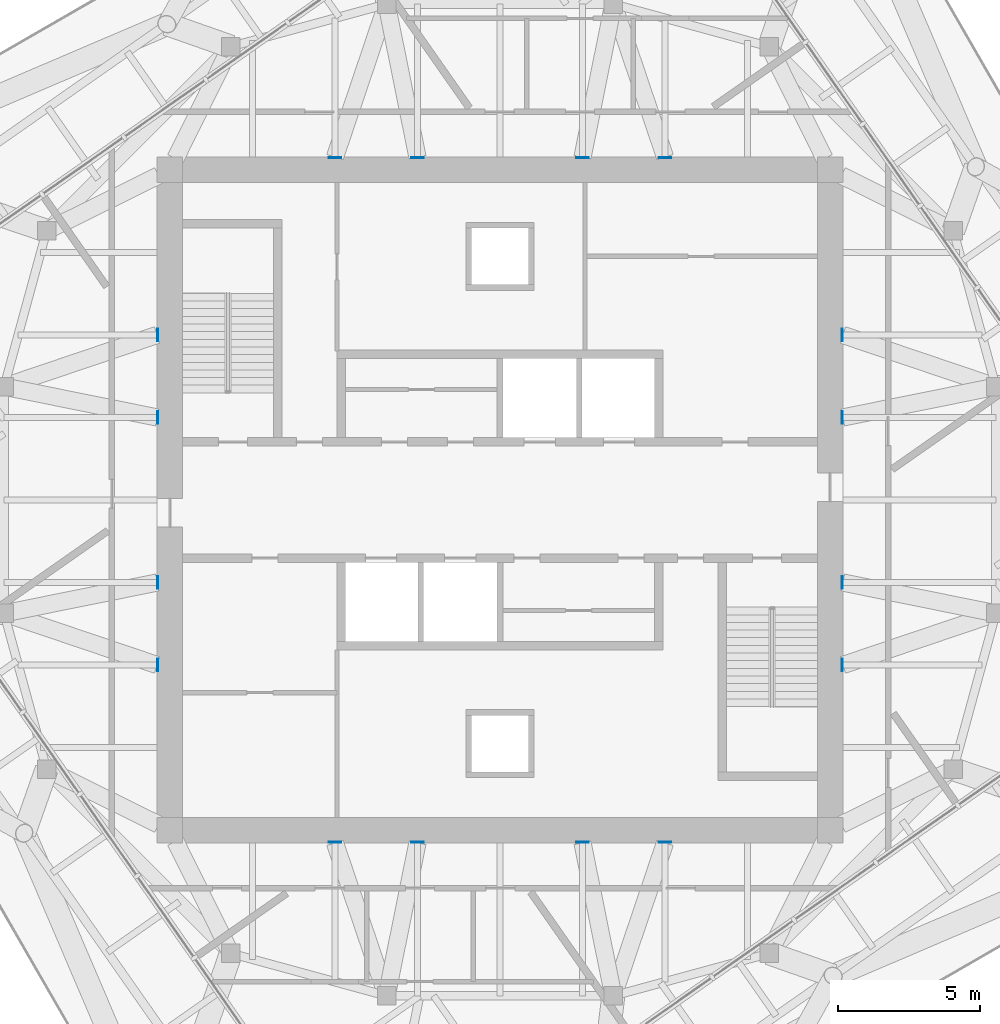
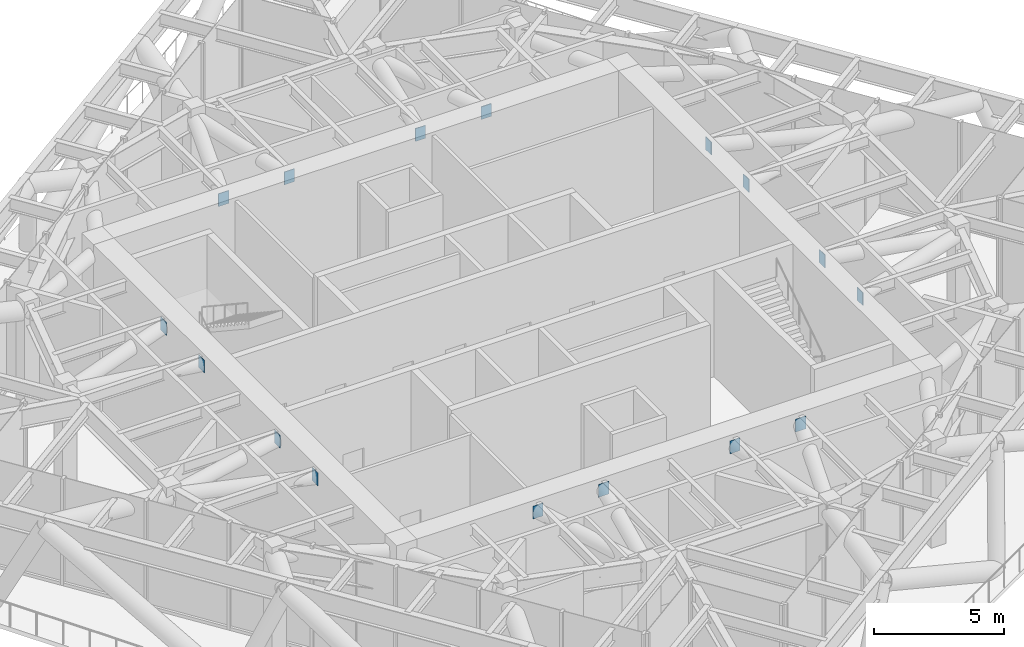
# One storey, part 11 of 16: 16 discrete accessories.
"""IFC4 building model written with IfcOpenShell, lengths in metres."""

from ifc_helpers import new_model, si_unit, direction, frame, origin, origin_2d, place, context, subcontext, project, spatial, rectangle, extrude, material, layer, layer_set, type_object, element, save


model = new_model("IFC4")

# Units and contexts
model_context = context("Model", 3, precision=1e-05, world=origin(), true_north=direction((0.0, 1.0)))
body_context = subcontext(model_context, "Body", "Model", "MODEL_VIEW")
ifc_project = project(units=[si_unit("LENGTHUNIT", "METRE"), si_unit("AREAUNIT", "SQUARE_METRE"), si_unit("VOLUMEUNIT", "CUBIC_METRE"), si_unit("PLANEANGLEUNIT", "RADIAN"), si_unit("MASSUNIT", "GRAM", prefix="KILO")], contexts=[model_context])

# Site, building, storey
site_placement = place(None, origin())
site = spatial("IfcSite", under=ifc_project, at=site_placement, CompositionType="ELEMENT")
building_placement = place(site_placement, origin())
building = spatial("IfcBuilding", under=site, at=building_placement, Name="Torsade Residences", CompositionType="ELEMENT")
storey_placement = place(building_placement, frame((0.0, 0.0, 235.39990234375)))
storey = spatial("IfcBuildingStorey", under=building, at=storey_placement, Name="L65", CompositionType="ELEMENT", Elevation=235.39990234375)

# Discrete accessories
ifc_material = material(Name="Steel grade 350", Category="steel")
ifc_layer = layer(ifc_material, 0.031982421875)
ifc_layer_set = layer_set([ifc_layer], Name="Steel grade 350")
discrete_accessory_type = type_object("IfcDiscreteAccessoryType", Name="CAST-IN PLATE 450x600x32", PredefinedType="ANCHORPLATE", material=ifc_layer_set)
for number, where, z_axis, x_axis, name in (
    (1, (52.083984375, 27.08740234375, 4.135986328125), (0.0, 0.0, 1.0), (1.0, 0.0, 0.0), "Cast-in plate PB1 PB-L66-IR01IE03"),
    (2, (52.083984375, 24.175048828125, 4.135986328125), (0.0, 0.0, 1.0), (1.0, 0.0, 0.0), "Cast-in plate PB1 PB-L66-IR01IE02"),
    (3, (52.083984375, 32.91259765625, 4.135986328125), (0.0, 0.0, 1.0), (1.0, 0.0, 0.0), "Cast-in plate PB1 PB-L66-IR02IE05"),
    (4, (52.083984375, 35.824951171875, 4.135986328125), (0.0, 0.0, 1.0), (1.0, 0.0, 0.0), "Cast-in plate PB1 PB-L66-IR02IE06"),
):
    element("IfcDiscreteAccessory", number, at=place(storey_placement, frame(where, z_axis=z_axis, x_axis=x_axis)), inside=storey, type_object=discrete_accessory_type, Name=name, PredefinedType="ANCHORPLATE", context=body_context, shape_type="SweptSolid", body=[
        extrude(rectangle(XDim=0.031982421875, YDim=0.449951171875, at=origin_2d()), origin(), (0.0, 0.0, 1.0), 0.60009765625),
    ])
for number, where, z_axis, x_axis, name in (
    (5, (42.91259765625, 42.083984375, 4.135986328125), (0.0, 0.0, 1.0), (1.0, 0.0, 0.0), "Cast-in plate PB1 PB-L66-IR05IN05"),
    (6, (45.824951171875, 42.083984375, 4.135986328125), (0.0, 0.0, 1.0), (1.0, 0.0, 0.0), "Cast-in plate PB1 PB-L66-IR05IN06"),
    (7, (37.08740234375, 42.083984375, 4.135986328125), (0.0, 0.0, 1.0), (1.0, 0.0, 0.0), "Cast-in plate PB1 PB-L66-IR06IN03"),
    (8, (34.175048828125, 42.083984375, 4.135986328125), (0.0, 0.0, 1.0), (1.0, 0.0, 0.0), "Cast-in plate PB1 PB-L66-IR06IN02"),
):
    element("IfcDiscreteAccessory", number, at=place(storey_placement, frame(where, z_axis=z_axis, x_axis=x_axis)), inside=storey, type_object=discrete_accessory_type, Name=name, PredefinedType="ANCHORPLATE", context=body_context, shape_type="SweptSolid", body=[
        extrude(rectangle(XDim=0.449951171875, YDim=0.031982421875, at=origin_2d()), origin(), (0.0, 0.0, 1.0), 0.60009765625),
    ])
for number, where, z_axis, x_axis, name in (
    (9, (27.916015625, 32.91259765625, 4.135986328125), (0.0, 0.0, 1.0), (1.0, 0.0, 0.0), "Cast-in plate PB1 PB-L66-IR09IW03"),
    (10, (27.916015625, 35.824951171875, 4.135986328125), (0.0, 0.0, 1.0), (1.0, 0.0, 0.0), "Cast-in plate PB1 PB-L66-IR09IW02"),
    (11, (27.916015625, 27.08740234375, 4.135986328125), (0.0, 0.0, 1.0), (1.0, 0.0, 0.0), "Cast-in plate PB1 PB-L66-IR10IW05"),
    (12, (27.916015625, 24.175048828125, 4.135986328125), (0.0, 0.0, 1.0), (1.0, 0.0, 0.0), "Cast-in plate PB1 PB-L66-IR10IW06"),
):
    element("IfcDiscreteAccessory", number, at=place(storey_placement, frame(where, z_axis=z_axis, x_axis=x_axis)), inside=storey, type_object=discrete_accessory_type, Name=name, PredefinedType="ANCHORPLATE", context=body_context, shape_type="SweptSolid", body=[
        extrude(rectangle(XDim=0.031982421875, YDim=0.449951171875, at=origin_2d()), origin(), (0.0, 0.0, 1.0), 0.60009765625),
    ])
for number, where, z_axis, x_axis, name in (
    (13, (37.08740234375, 17.916015625, 4.135986328125), (0.0, 0.0, 1.0), (1.0, 0.0, 0.0), "Cast-in plate PB1 PB-L66-IR13IS05"),
    (14, (34.175048828125, 17.916015625, 4.135986328125), (0.0, 0.0, 1.0), (1.0, 0.0, 0.0), "Cast-in plate PB1 PB-L66-IR13IS06"),
    (15, (42.91259765625, 17.916015625, 4.135986328125), (0.0, 0.0, 1.0), (1.0, 0.0, 0.0), "Cast-in plate PB1 PB-L66-IR14IS03"),
    (16, (45.824951171875, 17.916015625, 4.135986328125), (0.0, 0.0, 1.0), (1.0, 0.0, 0.0), "Cast-in plate PB1 PB-L66-IR14IS02"),
):
    element("IfcDiscreteAccessory", number, at=place(storey_placement, frame(where, z_axis=z_axis, x_axis=x_axis)), inside=storey, type_object=discrete_accessory_type, Name=name, PredefinedType="ANCHORPLATE", context=body_context, shape_type="SweptSolid", body=[
        extrude(rectangle(XDim=0.449951171875, YDim=0.031982421875, at=origin_2d()), origin(), (0.0, 0.0, 1.0), 0.60009765625),
    ])

save(model, "model.ifc")
